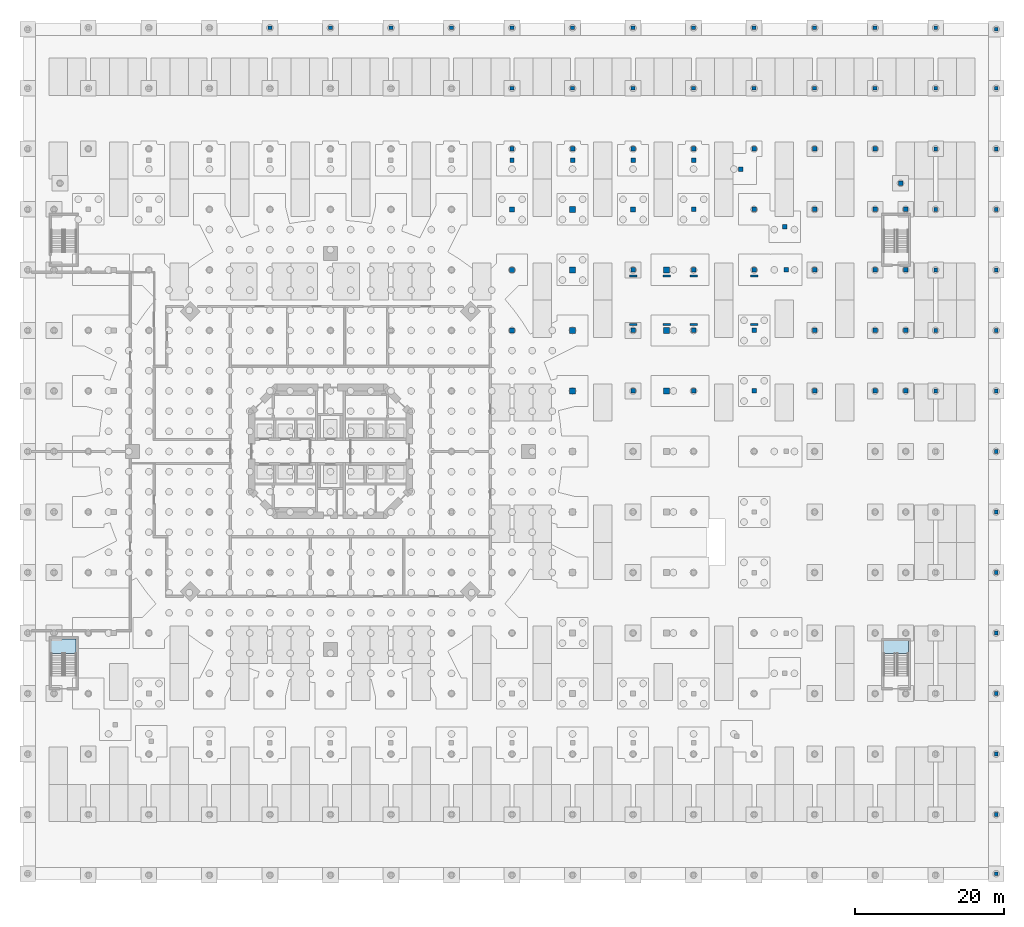
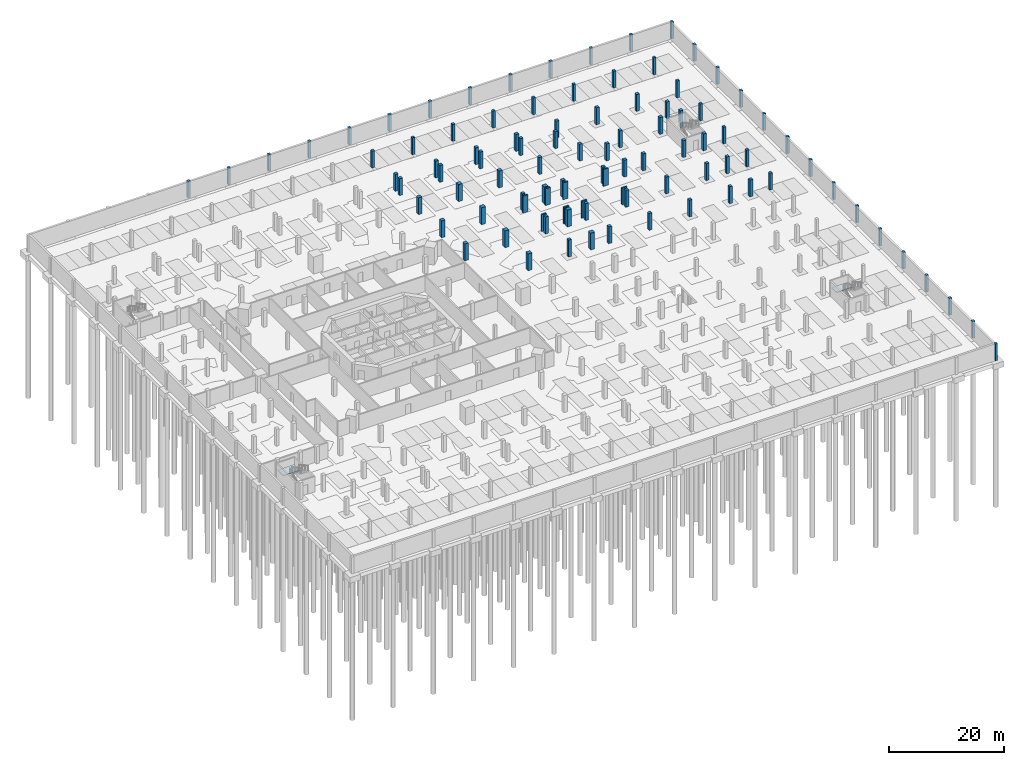
# One storey, part 9 of 23: 97 columns, 2 slabs, 2 elements without a shape of their own.
"""IFC4 building model written with IfcOpenShell, lengths in metres."""

from ifc_helpers import new_model, si_unit, direction, frame, origin, origin_2d, place, context, subcontext, project, spatial, polyline, rectangle, outline, extrude, material, layer, layer_set, material_profile, profile_set, type_object, element, aggregate, save


model = new_model("IFC4")

# Units and contexts
model_context = context("Model", 3, precision=1e-05, world=origin(), true_north=direction((0.0, 1.0)))
body_context = subcontext(model_context, "Body", "Model", "MODEL_VIEW")
ifc_project = project(units=[si_unit("LENGTHUNIT", "METRE"), si_unit("AREAUNIT", "SQUARE_METRE"), si_unit("VOLUMEUNIT", "CUBIC_METRE"), si_unit("PLANEANGLEUNIT", "RADIAN"), si_unit("MASSUNIT", "GRAM", prefix="KILO")], contexts=[model_context])

# Site, building, storey
site_placement = place(None, origin())
site = spatial("IfcSite", under=ifc_project, at=site_placement, CompositionType="ELEMENT")
building_placement = place(site_placement, origin())
building = spatial("IfcBuilding", under=site, at=building_placement, Name="Torre Triforio", CompositionType="ELEMENT")
storey_placement = place(building_placement, frame((0.0, 0.0, -10.800048828125)))
storey = spatial("IfcBuildingStorey", under=building, at=storey_placement, Name="B3", CompositionType="ELEMENT", Elevation=-10.800048828125)

# Columns
ifc_material_1 = material(Name="Concrete C50", Category="concrete")
ifc_material_profile_1 = material_profile(ifc_material_1, rectangle(XDim=0.5, YDim=0.5, at=origin_2d()), Name="RC 500x500")
ifc_profile_set_1 = profile_set([ifc_material_profile_1], Name="Concrete C50")
column_type_1 = type_object("IfcColumnType", Name="Column RC 500x500 C50", PredefinedType="COLUMN", material=ifc_profile_set_1)
for number, where, z_axis, x_axis, name in (
    (1, (-8.10009765625, 56.699951171875, 0.0), (0.0, 0.0, 1.0), (1.0, 0.0, 0.0), "COL.G.B3.5-O"),
    (2, (0.0, 56.699951171875, 0.0), (0.0, 0.0, 1.0), (1.0, 0.0, 0.0), "COL.G.B3.6-O"),
    (3, (8.10009765625, 56.699951171875, 0.0), (0.0, 0.0, 1.0), (1.0, 0.0, 0.0), "COL.G.B3.7-O"),
    (4, (16.199951171875, 56.699951171875, 0.0), (0.0, 0.0, 1.0), (1.0, 0.0, 0.0), "COL.G.B3.8-O"),
    (5, (24.300048828125, 48.60009765625, 0.0), (0.0, 0.0, 1.0), (1.0, 0.0, 0.0), "COL.G.B3.9-N"),
    (6, (24.300048828125, 56.699951171875, 0.0), (0.0, 0.0, 1.0), (1.0, 0.0, 0.0), "COL.G.B3.9-O"),
    (7, (32.39990234375, 48.60009765625, 0.0), (0.0, 0.0, 1.0), (1.0, 0.0, 0.0), "COL.G.B3.10-N"),
    (8, (32.39990234375, 56.699951171875, 0.0), (0.0, 0.0, 1.0), (1.0, 0.0, 0.0), "COL.G.B3.10-O"),
    (9, (40.5, 48.60009765625, 0.0), (0.0, 0.0, 1.0), (1.0, 0.0, 0.0), "COL.G.B3.11-N"),
    (10, (40.5, 56.699951171875, 0.0), (0.0, 0.0, 1.0), (1.0, 0.0, 0.0), "COL.G.B3.11-O"),
    (11, (48.60009765625, 48.60009765625, 0.0), (0.0, 0.0, 1.0), (1.0, 0.0, 0.0), "COL.G.B3.12-N"),
    (12, (48.60009765625, 56.699951171875, 0.0), (0.0, 0.0, 1.0), (1.0, 0.0, 0.0), "COL.G.B3.12-O"),
    (13, (56.699951171875, 48.60009765625, 0.0), (0.0, 0.0, 1.0), (1.0, 0.0, 0.0), "COL.G.B3.13-N"),
    (14, (56.699951171875, 56.699951171875, 0.0), (0.0, 0.0, 1.0), (1.0, 0.0, 0.0), "COL.G.B3.13-O"),
    (15, (64.800048828125, 48.60009765625, 0.0), (0.0, 0.0, 1.0), (1.0, 0.0, 0.0), "COL.G.B3.14-N"),
    (16, (64.800048828125, 56.699951171875, 0.0), (0.0, 0.0, 1.0), (1.0, 0.0, 0.0), "COL.G.B3.14-O"),
    (17, (72.89990234375, 48.60009765625, 0.0), (0.0, 0.0, 1.0), (1.0, 0.0, 0.0), "COL.G.B3.15-N"),
    (18, (72.89990234375, 56.699951171875, 0.0), (0.0, 0.0, 1.0), (1.0, 0.0, 0.0), "COL.G.B3.15-O"),
    (19, (81.0, 8.10009765625, 0.0), (0.0, 0.0, 1.0), (1.0, 0.0, 0.0), "COL.G.B3.16-I"),
    (20, (81.0, 16.199951171875, 0.0), (0.0, 0.0, 1.0), (1.0, 0.0, 0.0), "COL.G.B3.16-J"),
    (21, (81.0, 24.300048828125, 0.0), (0.0, 0.0, 1.0), (1.0, 0.0, 0.0), "COL.G.B3.16-K"),
    (22, (81.0, 32.39990234375, 0.0), (0.0, 0.0, 1.0), (1.0, 0.0, 0.0), "COL.G.B3.16-L"),
    (23, (81.0, 40.5, 0.0), (0.0, 0.0, 1.0), (1.0, 0.0, 0.0), "COL.G.B3.16-M"),
    (24, (81.0, 48.60009765625, 0.0), (0.0, 0.0, 1.0), (1.0, 0.0, 0.0), "COL.G.B3.16-N"),
    (25, (81.0, 56.699951171875, 0.0), (0.0, 0.0, 1.0), (1.0, 0.0, 0.0), "COL.G.B3.16-O"),
    (26, (89.10009765625, -56.5, 0.0), (0.0, 0.0, 1.0), (1.0, 0.0, 0.0), "COL.G.B3.17-A"),
    (27, (89.10009765625, -48.60009765625, 0.0), (0.0, 0.0, 1.0), (1.0, 0.0, 0.0), "COL.G.B3.17-B"),
    (28, (89.10009765625, -40.5, 0.0), (0.0, 0.0, 1.0), (1.0, 0.0, 0.0), "COL.G.B3.17-C"),
    (29, (89.10009765625, -32.39990234375, 0.0), (0.0, 0.0, 1.0), (1.0, 0.0, 0.0), "COL.G.B3.17-D"),
    (30, (89.10009765625, -24.300048828125, 0.0), (0.0, 0.0, 1.0), (1.0, 0.0, 0.0), "COL.G.B3.17-E"),
    (31, (89.10009765625, -16.199951171875, 0.0), (0.0, 0.0, 1.0), (1.0, 0.0, 0.0), "COL.G.B3.17-F"),
    (32, (89.10009765625, -8.10009765625, 0.0), (0.0, 0.0, 1.0), (1.0, 0.0, 0.0), "COL.G.B3.17-G"),
    (33, (89.10009765625, 0.0, 0.0), (0.0, 0.0, 1.0), (1.0, 0.0, 0.0), "COL.G.B3.17-H"),
    (34, (89.10009765625, 8.10009765625, 0.0), (0.0, 0.0, 1.0), (1.0, 0.0, 0.0), "COL.G.B3.17-I"),
    (35, (89.10009765625, 16.199951171875, 0.0), (0.0, 0.0, 1.0), (1.0, 0.0, 0.0), "COL.G.B3.17-J"),
    (36, (89.10009765625, 24.300048828125, 0.0), (0.0, 0.0, 1.0), (1.0, 0.0, 0.0), "COL.G.B3.17-K"),
    (37, (89.10009765625, 32.39990234375, 0.0), (0.0, 0.0, 1.0), (1.0, 0.0, 0.0), "COL.G.B3.17-L"),
    (38, (89.10009765625, 40.5, 0.0), (0.0, 0.0, 1.0), (1.0, 0.0, 0.0), "COL.G.B3.17-M"),
    (39, (89.10009765625, 48.60009765625, 0.0), (0.0, 0.0, 1.0), (1.0, 0.0, 0.0), "COL.G.B3.17-N"),
    (40, (89.10009765625, 56.5, 0.0), (0.0, 0.0, 1.0), (1.0, 0.0, 0.0), "COL.G.B3.17-O"),
):
    element("IfcColumn", number, at=place(storey_placement, frame(where, z_axis=z_axis, x_axis=x_axis)), inside=storey, type_object=column_type_1, Name=name, PredefinedType="COLUMN", context=body_context, shape_type="SweptSolid", body=[
        extrude(rectangle(XDim=0.5, YDim=0.5, at=origin_2d()), origin(), (0.0, 0.0, 1.0), 3.60009765625),
    ])
ifc_material_profile_2 = material_profile(ifc_material_1, rectangle(XDim=0.60009765625, YDim=0.60009765625, at=origin_2d()), Name="RC 600x600")
ifc_profile_set_2 = profile_set([ifc_material_profile_2], Name="Concrete C50")
column_type_2 = type_object("IfcColumnType", Name="Column RC 600x600 C50", PredefinedType="COLUMN", material=ifc_profile_set_2)
for number, where, z_axis, x_axis, name in (
    (41, (24.300048828125, 40.5, 0.0), (0.0, 0.0, 1.0), (1.0, 0.0, 0.0), "COL.G.B3.9-M"),
    (42, (32.39990234375, 40.5, 0.0), (0.0, 0.0, 1.0), (1.0, 0.0, 0.0), "COL.G.B3.10-M"),
    (43, (40.5, 8.10009765625, 0.0), (0.0, 0.0, 1.0), (1.0, 0.0, 0.0), "COL.G.B3.11-I"),
    (44, (40.5, 16.199951171875, 0.0), (0.0, 0.0, 1.0), (1.0, 0.0, 0.0), "COL.G.B3.11-J"),
    (45, (40.5, 24.300048828125, 0.0), (0.0, 0.0, 1.0), (1.0, 0.0, 0.0), "COL.G.B3.11-K"),
    (46, (40.5, 40.5, 0.0), (0.0, 0.0, 1.0), (1.0, 0.0, 0.0), "COL.G.B3.11-M"),
    (47, (48.60009765625, 8.10009765625, 0.0), (0.0, 0.0, 1.0), (1.0, 0.0, 0.0), "COL.G.B3.12-I"),
    (48, (48.60009765625, 16.199951171875, 0.0), (0.0, 0.0, 1.0), (1.0, 0.0, 0.0), "COL.G.B3.12-J"),
    (49, (48.60009765625, 24.300048828125, 0.0), (0.0, 0.0, 1.0), (1.0, 0.0, 0.0), "COL.G.B3.12-K"),
    (50, (48.60009765625, 32.39990234375, 0.0), (0.0, 0.0, 1.0), (1.0, 0.0, 0.0), "COL.G.B3.12-L"),
    (51, (48.60009765625, 40.5, 0.0), (0.0, 0.0, 1.0), (1.0, 0.0, 0.0), "COL.G.B3.12-M"),
    (52, (56.699951171875, 8.10009765625, 0.0), (0.0, 0.0, 1.0), (1.0, 0.0, 0.0), "COL.G.B3.13-I"),
    (53, (56.699951171875, 16.199951171875, 0.0), (0.0, 0.0, 1.0), (1.0, 0.0, 0.0), "COL.G.B3.13-J"),
    (54, (56.699951171875, 24.300048828125, 0.0), (0.0, 0.0, 1.0), (1.0, 0.0, 0.0), "COL.G.B3.13-K"),
    (55, (56.699951171875, 32.39990234375, 0.0), (0.0, 0.0, 1.0), (1.0, 0.0, 0.0), "COL.G.B3.13-L"),
    (56, (56.699951171875, 40.5, 0.0), (0.0, 0.0, 1.0), (1.0, 0.0, 0.0), "COL.G.B3.13-M"),
    (57, (64.800048828125, 8.10009765625, 0.0), (0.0, 0.0, 1.0), (1.0, 0.0, 0.0), "COL.G.B3.14-I"),
    (58, (64.800048828125, 16.199951171875, 0.0), (0.0, 0.0, 1.0), (1.0, 0.0, 0.0), "COL.G.B3.14-J"),
    (59, (64.800048828125, 24.300048828125, 0.0), (0.0, 0.0, 1.0), (1.0, 0.0, 0.0), "COL.G.B3.14-K"),
    (60, (64.800048828125, 32.39990234375, 0.0), (0.0, 0.0, 1.0), (1.0, 0.0, 0.0), "COL.G.B3.14-L"),
    (61, (64.800048828125, 40.5, 0.0), (0.0, 0.0, 1.0), (1.0, 0.0, 0.0), "COL.G.B3.14-M"),
    (62, (72.89990234375, 8.10009765625, 0.0), (0.0, 0.0, 1.0), (1.0, 0.0, 0.0), "COL.G.B3.15-I"),
    (63, (72.89990234375, 16.199951171875, 0.0), (0.0, 0.0, 1.0), (1.0, 0.0, 0.0), "COL.G.B3.15-J"),
    (64, (72.89990234375, 24.300048828125, 0.0), (0.0, 0.0, 1.0), (1.0, 0.0, 0.0), "COL.G.B3.15-K"),
    (65, (72.89990234375, 32.39990234375, 0.0), (0.0, 0.0, 1.0), (1.0, 0.0, 0.0), "COL.G.B3.15-L"),
    (66, (72.89990234375, 40.5, 0.0), (0.0, 0.0, 1.0), (1.0, 0.0, 0.0), "COL.G.B3.15-M"),
    (67, (48.60009765625, 39.0, 0.0), (0.0, 0.0, 1.0), (1.0, 0.0, 0.0), "COL.E.B3.ED-08"),
    (68, (40.5, 39.0, 0.0), (0.0, 0.0, 1.0), (1.0, 0.0, 0.0), "COL.E.B3.ED-10"),
    (69, (32.39990234375, 39.0, 0.0), (0.0, 0.0, 1.0), (1.0, 0.0, 0.0), "COL.E.B3.ED-13"),
    (70, (24.300048828125, 39.0, 0.0), (0.0, 0.0, 1.0), (1.0, 0.0, 0.0), "COL.E.B3.ED-16"),
    (71, (61.0, 24.300048828125, 0.0), (0.0, 0.0, 1.0), (1.0, 0.0, 0.0), "COL.E.B3.ED-27"),
    (72, (54.89990234375, 37.800048828125, 0.0), (0.0, 0.0, 1.0), (1.0, 0.0, 0.0), "COL.E.B3.ED-29"),
    (73, (60.800048828125, 30.10009765625, 0.0), (0.0, 0.0, 1.0), (1.0, 0.0, 0.0), "COL.E.B3.ED-34"),
    (74, (77.0, 16.199951171875, 0.0), (0.0, 0.0, 1.0), (1.0, 0.0, 0.0), "COL.E.B3.ED-42"),
    (75, (77.0, 24.300048828125, 0.0), (0.0, 0.0, 1.0), (1.0, 0.0, 0.0), "COL.E.B3.ED-43"),
    (76, (77.0, 8.10009765625, 0.0), (0.0, 0.0, 1.0), (1.0, 0.0, 0.0), "COL.E.B3.ED-44"),
    (77, (76.300048828125, 35.89990234375, 0.0), (0.0, 0.0, 1.0), (1.0, 0.0, 0.0), "COL.E.B3.ED-52"),
    (78, (77.0, 32.39990234375, 0.0), (0.0, 0.0, 1.0), (1.0, 0.0, 0.0), "COL.E.B3.ED-54"),
):
    element("IfcColumn", number, at=place(storey_placement, frame(where, z_axis=z_axis, x_axis=x_axis)), inside=storey, type_object=column_type_2, Name=name, PredefinedType="COLUMN", context=body_context, shape_type="SweptSolid", body=[
        extrude(rectangle(XDim=0.60009765625, YDim=0.60009765625, at=origin_2d()), origin(), (0.0, 0.0, 1.0), 3.60009765625),
    ])
ifc_material_profile_3 = material_profile(ifc_material_1, rectangle(XDim=0.699951171875, YDim=0.699951171875, at=origin_2d()), Name="RC 700x700")
ifc_profile_set_3 = profile_set([ifc_material_profile_3], Name="Concrete C50")
column_type_3 = type_object("IfcColumnType", Name="Column RC 700x700 C50", PredefinedType="COLUMN", material=ifc_profile_set_3)
for number, where, z_axis, x_axis, name in (
    (79, (24.300048828125, 16.199951171875, 0.0), (0.0, 0.0, 1.0), (1.0, 0.0, 0.0), "COL.G.B3.9-J"),
    (80, (24.300048828125, 24.300048828125, 0.0), (0.0, 0.0, 1.0), (1.0, 0.0, 0.0), "COL.G.B3.9-K"),
    (81, (24.300048828125, 32.39990234375, 0.0), (0.0, 0.0, 1.0), (1.0, 0.0, 0.0), "COL.G.B3.9-L"),
    (82, (40.5, 32.39990234375, 0.0), (0.0, 0.0, 1.0), (1.0, 0.0, 0.0), "COL.G.B3.11-L"),
):
    element("IfcColumn", number, at=place(storey_placement, frame(where, z_axis=z_axis, x_axis=x_axis)), inside=storey, type_object=column_type_3, Name=name, PredefinedType="COLUMN", context=body_context, shape_type="SweptSolid", body=[
        extrude(rectangle(XDim=0.699951171875, YDim=0.699951171875, at=origin_2d()), origin(), (0.0, 0.0, 1.0), 3.60009765625),
    ])
ifc_material_profile_4 = material_profile(ifc_material_1, rectangle(XDim=0.800048828125, YDim=0.800048828125, at=origin_2d()), Name="RC 800x800")
ifc_profile_set_4 = profile_set([ifc_material_profile_4], Name="Concrete C50")
column_type_4 = type_object("IfcColumnType", Name="Column RC 800x800 C50", PredefinedType="COLUMN", material=ifc_profile_set_4)
for number, where, z_axis, x_axis, name in (
    (83, (32.39990234375, 8.10009765625, 0.0), (0.0, 0.0, 1.0), (1.0, 0.0, 0.0), "COL.G.B3.10-I"),
    (84, (32.39990234375, 16.199951171875, 0.0), (0.0, 0.0, 1.0), (1.0, 0.0, 0.0), "COL.G.B3.10-J"),
    (85, (32.39990234375, 24.300048828125, 0.0), (0.0, 0.0, 1.0), (1.0, 0.0, 0.0), "COL.G.B3.10-K"),
    (86, (32.39990234375, 32.39990234375, 0.0), (0.0, 0.0, 1.0), (1.0, 0.0, 0.0), "COL.G.B3.10-L"),
    (87, (45.0, 8.10009765625, 0.0), (0.0, 0.0, 1.0), (1.0, 0.0, 0.0), "COL.E.B3.EL-I"),
    (88, (45.0, 16.199951171875, 0.0), (0.0, 0.0, 1.0), (1.0, 0.0, 0.0), "COL.E.B3.EL-J"),
    (89, (45.0, 24.300048828125, 0.0), (0.0, 0.0, 1.0), (1.0, 0.0, 0.0), "COL.E.B3.EL-K"),
):
    element("IfcColumn", number, at=place(storey_placement, frame(where, z_axis=z_axis, x_axis=x_axis)), inside=storey, type_object=column_type_4, Name=name, PredefinedType="COLUMN", context=body_context, shape_type="SweptSolid", body=[
        extrude(rectangle(XDim=0.800048828125, YDim=0.800048828125, at=origin_2d()), origin(), (0.0, 0.0, 1.0), 3.60009765625),
    ])
ifc_material_profile_5 = material_profile(ifc_material_1, rectangle(XDim=1.0, YDim=0.300048828125, at=origin_2d()), Name="RC 1000x300")
ifc_profile_set_5 = profile_set([ifc_material_profile_5], Name="Concrete C50")
column_type_5 = type_object("IfcColumnType", Name="Ramp pier RC 1000x300 C50", PredefinedType="COLUMN", material=ifc_profile_set_5)
for number, where, z_axis, x_axis, name in (
    (90, (40.5, 17.0, 0.0), (0.0, 0.0, 1.0), (1.0, 0.0, 0.0), "COL.RP.B3.R12.S.11-J"),
    (91, (45.0, 17.0, 0.0), (0.0, 0.0, 1.0), (1.0, 0.0, 0.0), "COL.RP.B3.R12.S.EL-J"),
    (92, (48.60009765625, 17.0, 0.0), (0.0, 0.0, 1.0), (1.0, 0.0, 0.0), "COL.RP.B3.R12.S.12-J"),
    (93, (56.699951171875, 17.0, 0.0), (0.0, 0.0, 1.0), (1.0, 0.0, 0.0), "COL.RP.B3.R12.S.13-J"),
    (94, (40.5, 23.5, 0.0), (0.0, 0.0, 1.0), (1.0, 0.0, 0.0), "COL.RP.B3.R12.N.11-K"),
    (95, (45.0, 23.5, 0.0), (0.0, 0.0, 1.0), (1.0, 0.0, 0.0), "COL.RP.B3.R12.N.EL-K"),
    (96, (48.60009765625, 23.5, 0.0), (0.0, 0.0, 1.0), (1.0, 0.0, 0.0), "COL.RP.B3.R12.N.12-K"),
    (97, (56.699951171875, 23.5, 0.0), (0.0, 0.0, 1.0), (1.0, 0.0, 0.0), "COL.RP.B3.R12.N.13-K"),
):
    element("IfcColumn", number, at=place(storey_placement, frame(where, z_axis=z_axis, x_axis=x_axis)), inside=storey, type_object=column_type_5, Name=name, PredefinedType="COLUMN", context=body_context, shape_type="SweptSolid", body=[
        extrude(rectangle(XDim=1.0, YDim=0.300048828125, at=origin_2d()), origin(), (0.0, 0.0, 1.0), 3.60009765625),
    ])

# Stair, slab
ifc_material_2 = material(Name="Concrete C40", Category="concrete")
stair_type = type_object("IfcStairType", Name="Egress stair 1400 clear", PredefinedType="NOTDEFINED", material=ifc_material_2)
stair_1_placement = place(storey_placement, origin())
stair_1 = element("IfcStair", 98, at=stair_1_placement, inside=storey, type_object=stair_type, Name="Exit stair BS1 B3 to B2", PredefinedType="NOTDEFINED")
ifc_layer = layer(ifc_material_2, 0.199951171875)
ifc_layer_set = layer_set([ifc_layer], Name="Concrete C40")
slab_type = type_object("IfcSlabType", Name="Egress stair landing 200", PredefinedType="LANDING", material=ifc_layer_set)
slab_1_placement = place(storey_placement, frame((0.0, 0.0, 1.60009765625)))
slab_1 = element("IfcSlab", 99, at=slab_1_placement, type_object=slab_type, Name="BS1 landing 1", PredefinedType="LANDING", context=body_context, shape_type="SweptSolid", body=[
    extrude(outline(polyline([(-37.375, -27.02490234375), (-34.02490234375, -27.02490234375), (-34.02490234375, -25.074951171875), (-37.375, -25.074951171875), (-37.375, -27.02490234375)])), origin(), (0.0, 0.0, 1.0), 0.199951171875),
])
aggregate(stair_1, [slab_1])

stair_2_placement = place(storey_placement, origin())
stair_2 = element("IfcStair", 100, at=stair_2_placement, inside=storey, type_object=stair_type, Name="Exit stair BS3 B3 to B2", PredefinedType="NOTDEFINED")
slab_2_placement = place(storey_placement, frame((0.0, 0.0, 1.60009765625)))
slab_2 = element("IfcSlab", 101, at=slab_2_placement, type_object=slab_type, Name="BS3 landing 1", PredefinedType="LANDING", context=body_context, shape_type="SweptSolid", body=[
    extrude(outline(polyline([(74.02490234375, -27.02490234375), (77.375, -27.02490234375), (77.375, -25.31494140625), (74.02490234375, -25.31494140625), (74.02490234375, -27.02490234375)])), origin(), (0.0, 0.0, 1.0), 0.199951171875),
])
aggregate(stair_2, [slab_2])

save(model, "model.ifc")
